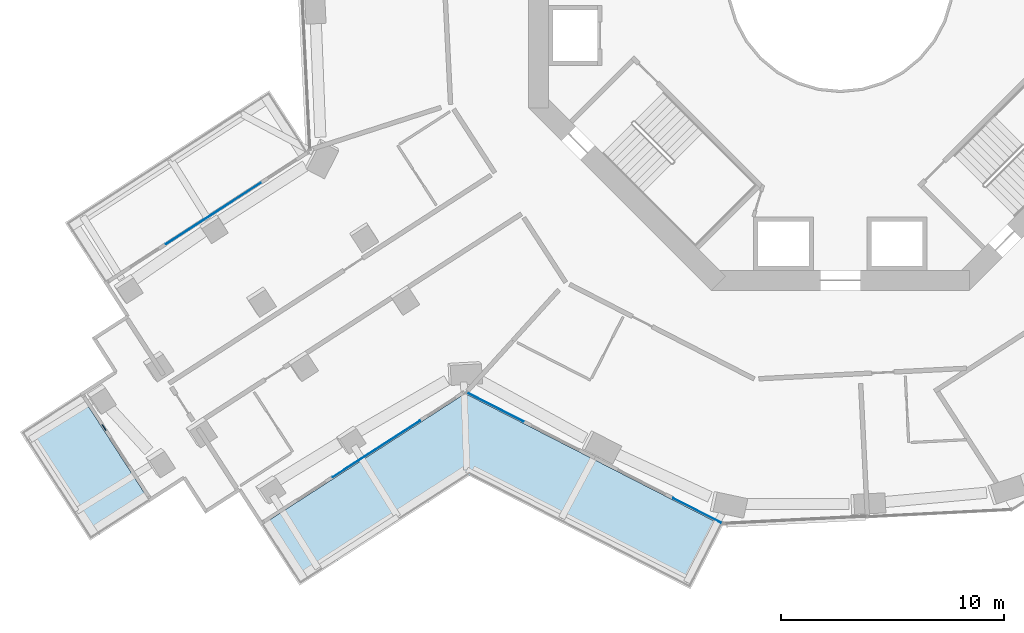
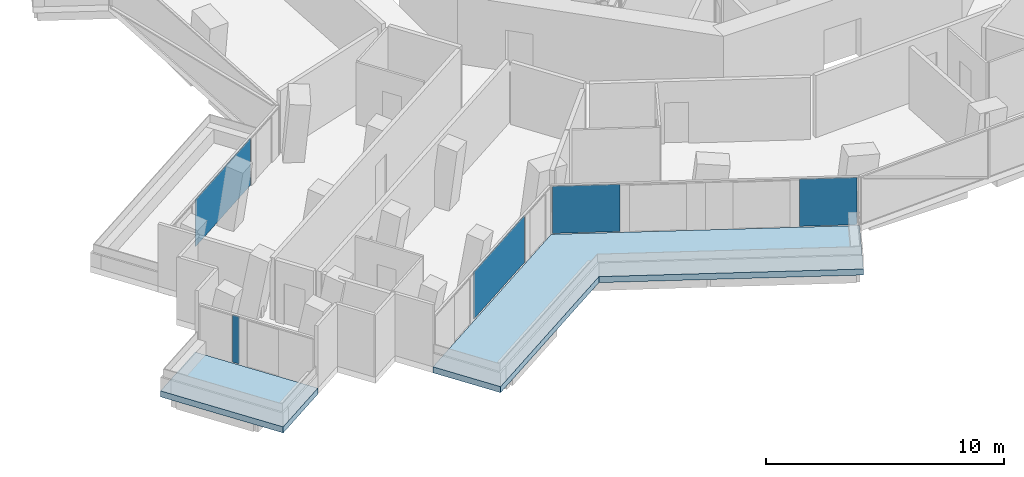
# One storey, part 13 of 25: 5 plates, 2 slabs, 4 elements without a shape of their own.
"""IFC4 building model written with IfcOpenShell, lengths in metres."""

from ifc_helpers import new_model, si_unit, direction, frame, origin, origin_2d, place, context, subcontext, project, spatial, polyline, rectangle, outline, extrude, material, layer, layer_set, type_object, element, aggregate, save


model = new_model("IFC4")

# Units and contexts
model_context = context("Model", 3, precision=1e-05, world=origin(), true_north=direction((0.0, 1.0)))
body_context = subcontext(model_context, "Body", "Model", "MODEL_VIEW")
ifc_project = project(units=[si_unit("LENGTHUNIT", "METRE"), si_unit("AREAUNIT", "SQUARE_METRE"), si_unit("VOLUMEUNIT", "CUBIC_METRE"), si_unit("PLANEANGLEUNIT", "RADIAN"), si_unit("MASSUNIT", "GRAM", prefix="KILO")], contexts=[model_context])

# Site, building, storey
site_placement = place(None, origin())
site = spatial("IfcSite", under=ifc_project, at=site_placement, CompositionType="ELEMENT")
building_placement = place(site_placement, origin())
building = spatial("IfcBuilding", under=site, at=building_placement, Name="Verdalira Terraces Hotel", CompositionType="ELEMENT")
storey_placement = place(building_placement, frame((0.0, 0.0, 46.0)))
storey = spatial("IfcBuildingStorey", under=building, at=storey_placement, Name="L09", CompositionType="ELEMENT", Elevation=46.0)

# Slabs
ifc_material_1 = material(Name="Precast concrete C40/50", Category="concrete")
ifc_layer_1 = layer(ifc_material_1, 0.31005859375)
ifc_layer_set_1 = layer_set([ifc_layer_1], Name="Balcony deck 310")
slab_type = type_object("IfcSlabType", Name="Balcony deck 310", PredefinedType="FLOOR", material=ifc_layer_set_1)
slab_1_placement = place(storey_placement, frame((0.0, 0.0, -0.310059)))
element("IfcSlab", 1, at=slab_1_placement, inside=storey, type_object=slab_type, Name="Balcony deck", PredefinedType="FLOOR", context=body_context, shape_type="SweptSolid", body=[
    extrude(outline(polyline([(-33.679688, -25.224854), (-30.992188, -23.487549), (-34.140869, -18.616699), (-36.828369, -20.354004), (-33.679688, -25.224854)])), origin(), (0.0, 0.0, 1.0), 0.310059),
])
slab_2_placement = place(storey_placement, frame((0.0, 0.0, -0.310059)))
element("IfcSlab", 2, at=slab_2_placement, inside=storey, type_object=slab_type, Name="Balcony deck", PredefinedType="FLOOR", context=body_context, shape_type="SweptSolid", body=[
    extrude(outline(polyline([(-16.657959, -22.318604), (-6.731689, -27.402344), (-5.272949, -24.554199), (-16.84375, -18.628174), (-26.014404, -24.556641), (-24.277344, -27.243896), (-16.657959, -22.318604)])), origin(), (0.0, 0.0, 1.0), 0.310059),
])

# Curtain wall, plates
ifc_material_2 = material(Name="Clear glass", Category="glass")
ifc_layer_2 = layer(ifc_material_2, 0.14990234375)
ifc_layer_set_2 = layer_set([ifc_layer_2], Name="CW1 curtain wall")
curtain_wall_type_1 = type_object("IfcCurtainWallType", Name="CW1 curtain wall", PredefinedType="NOTDEFINED", material=ifc_layer_set_2)
curtain_wall_1_placement = place(storey_placement, origin())
curtain_wall_1 = element("IfcCurtainWall", 3, at=curtain_wall_1_placement, inside=storey, type_object=curtain_wall_type_1, Name="CW1 curtain wall L09 edge 25", PredefinedType="NOTDEFINED")
ifc_material_3 = material(Name="Clear glass", Category="glass")
ifc_layer_3 = layer(ifc_material_3, 0.028076171875)
ifc_layer_set_3 = layer_set([ifc_layer_3], Name="CW1 glass unit 28")
plate_type_1 = type_object("IfcPlateType", Name="CW1 glass unit 28", PredefinedType="CURTAIN_PANEL", material=ifc_layer_set_3)
plate_1_placement = place(storey_placement, frame((-15.492188, -19.236084, 0.0), z_axis=(0.0, 0.0, 1.0), x_axis=(0.890053735, -0.455855622, 0.0)))
plate_1 = element("IfcPlate", 4, at=plate_1_placement, type_object=plate_type_1, Name="CW1 glass unit", PredefinedType="CURTAIN_PANEL", context=body_context, shape_type="SweptSolid", body=[
    extrude(rectangle(XDim=2.840088, YDim=0.028076, at=origin_2d()), origin(), (0.0, 0.0, 1.0), 2.425049),
])
plate_2_placement = place(storey_placement, frame((-6.413574, -23.885986, 0.0), z_axis=(0.0, 0.0, 1.0), x_axis=(0.890053735, -0.455855622, 0.0)))
plate_2 = element("IfcPlate", 5, at=plate_2_placement, type_object=plate_type_1, Name="CW1 glass unit", PredefinedType="CURTAIN_PANEL", context=body_context, shape_type="SweptSolid", body=[
    extrude(rectangle(XDim=2.439209, YDim=0.028076, at=origin_2d()), origin(), (0.0, 0.0, 1.0), 2.425049),
])
aggregate(curtain_wall_1, [plate_1, plate_2])

# Curtain wall, plate
ifc_material_4 = material(Name="Clear glass", Category="glass")
ifc_layer_4 = layer(ifc_material_4, 0.14990234375)
ifc_layer_set_4 = layer_set([ifc_layer_4], Name="CW2 curtain wall")
curtain_wall_type_2 = type_object("IfcCurtainWallType", Name="CW2 curtain wall", PredefinedType="NOTDEFINED", material=ifc_layer_set_4)
curtain_wall_2_placement = place(storey_placement, origin())
curtain_wall_2 = element("IfcCurtainWall", 6, at=curtain_wall_2_placement, inside=storey, type_object=curtain_wall_type_2, Name="CW2 curtain wall L09 edge 14", PredefinedType="NOTDEFINED")
ifc_material_5 = material(Name="Clear glass", Category="glass")
ifc_layer_5 = layer(ifc_material_5, 0.031982421875)
ifc_layer_set_5 = layer_set([ifc_layer_5], Name="CW2 glass unit 32")
plate_type_2 = type_object("IfcPlateType", Name="CW2 glass unit 32", PredefinedType="CURTAIN_PANEL", material=ifc_layer_set_5)
plate_3_placement = place(storey_placement, frame((-28.147461, -10.544922, 0.0), z_axis=(0.0, 0.0, 1.0), x_axis=(-0.839809417, -0.542881334, 0.0)))
plate_3 = element("IfcPlate", 7, at=plate_3_placement, type_object=plate_type_2, Name="CW2 glass unit", PredefinedType="CURTAIN_PANEL", context=body_context, shape_type="SweptSolid", body=[
    extrude(rectangle(XDim=5.066162, YDim=0.031982, at=origin_2d()), origin(), (0.0, 0.0, 1.0), 2.425049),
])
aggregate(curtain_wall_2, [plate_3])

curtain_wall_3_placement = place(storey_placement, origin())
curtain_wall_3 = element("IfcCurtainWall", 8, at=curtain_wall_3_placement, inside=storey, type_object=curtain_wall_type_2, Name="CW2 curtain wall L09 edge 24", PredefinedType="NOTDEFINED")
plate_4_placement = place(storey_placement, frame((-20.831299, -21.116699, 0.0), z_axis=(0.0, 0.0, 1.0), x_axis=(0.839809417, 0.542881334, 0.0)))
plate_4 = element("IfcPlate", 9, at=plate_4_placement, type_object=plate_type_2, Name="CW2 glass unit", PredefinedType="CURTAIN_PANEL", context=body_context, shape_type="SweptSolid", body=[
    extrude(rectangle(XDim=4.659424, YDim=0.031982, at=origin_2d()), origin(), (0.0, 0.0, 1.0), 2.425049),
])
aggregate(curtain_wall_3, [plate_4])

ifc_material_6 = material(Name="Clear glass", Category="glass")
ifc_layer_6 = layer(ifc_material_6, 0.14990234375)
ifc_layer_set_6 = layer_set([ifc_layer_6], Name="CW3 curtain wall")
curtain_wall_type_3 = type_object("IfcCurtainWallType", Name="CW3 curtain wall", PredefinedType="NOTDEFINED", material=ifc_layer_set_6)
curtain_wall_4_placement = place(storey_placement, origin())
curtain_wall_4 = element("IfcCurtainWall", 10, at=curtain_wall_4_placement, inside=storey, type_object=curtain_wall_type_3, Name="CW3 curtain wall L09 edge 19", PredefinedType="NOTDEFINED")
ifc_material_7 = material(Name="Clear glass", Category="glass")
ifc_layer_7 = layer(ifc_material_7, 0.035888671875)
ifc_layer_set_7 = layer_set([ifc_layer_7], Name="CW3 glass unit 36")
plate_type_3 = type_object("IfcPlateType", Name="CW3 glass unit 36", PredefinedType="CURTAIN_PANEL", material=ifc_layer_set_7)
plate_5_placement = place(storey_placement, frame((-33.054688, -20.158936, 0.0), z_axis=(0.0, 0.0, 1.0), x_axis=(0.542881334, -0.839809417, 0.0)))
plate_5 = element("IfcPlate", 11, at=plate_5_placement, type_object=plate_type_3, Name="CW3 glass unit", PredefinedType="CURTAIN_PANEL", context=body_context, shape_type="SweptSolid", body=[
    extrude(rectangle(XDim=0.310059, YDim=0.035889, at=origin_2d()), origin(), (0.0, 0.0, 1.0), 2.425049),
])
aggregate(curtain_wall_4, [plate_5])

save(model, "model.ifc")
